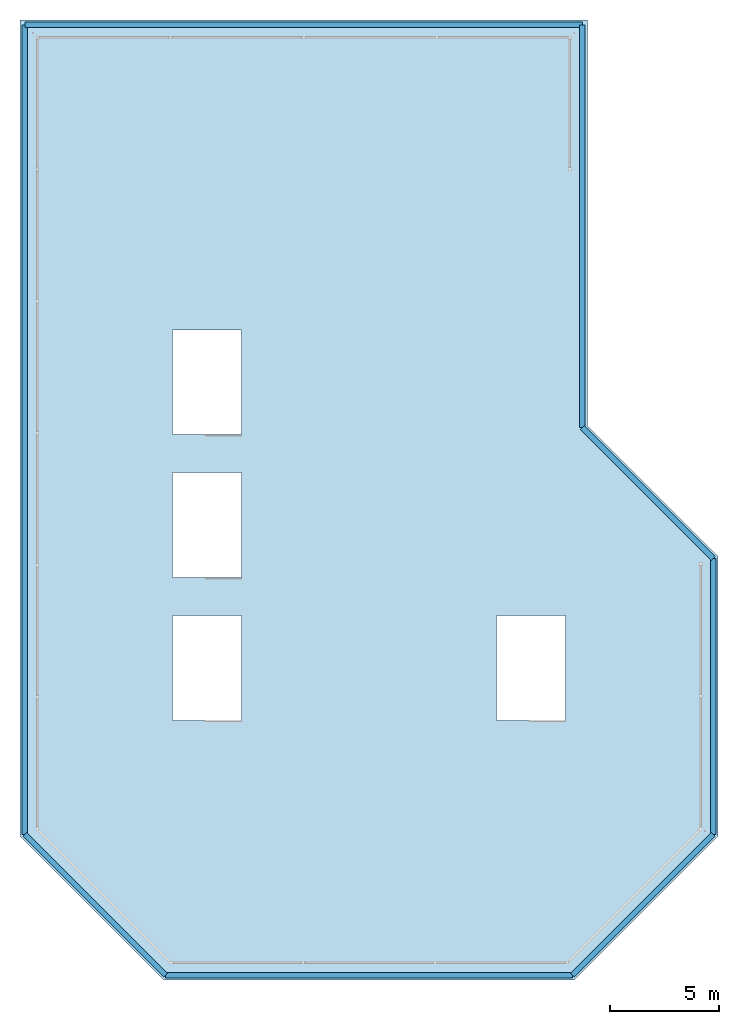
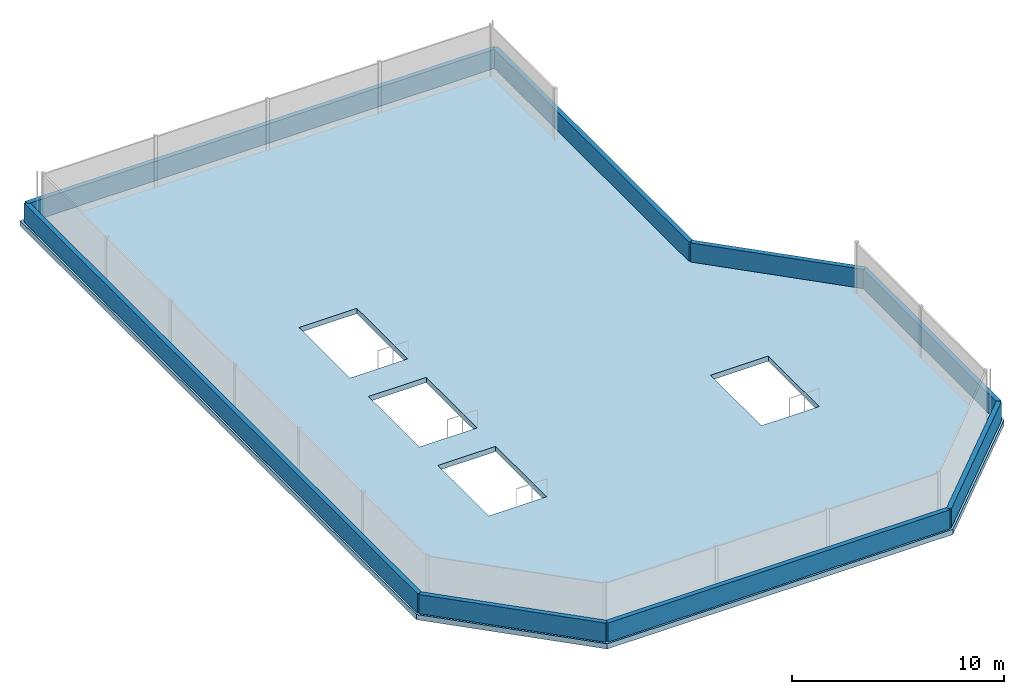
# One storey, part 4 of 5: 8 walls, 1 slab.
"""IFC4 building model written with IfcOpenShell, lengths in metres."""

from ifc_helpers import new_model, si_unit, direction, frame, frame_2d, origin, place, context, subcontext, project, spatial, polyline, rectangle, outline, extrude, material, layer, layer_set, type_object, element, save


model = new_model("IFC4")

# Units and contexts
model_context = context("Model", 3, precision=1e-05, world=origin(), true_north=direction((0.0, 1.0)))
body_context = subcontext(model_context, "Body", "Model", "MODEL_VIEW")
ifc_project = project(units=[si_unit("LENGTHUNIT", "METRE"), si_unit("AREAUNIT", "SQUARE_METRE"), si_unit("VOLUMEUNIT", "CUBIC_METRE"), si_unit("PLANEANGLEUNIT", "RADIAN"), si_unit("MASSUNIT", "GRAM", prefix="KILO")], contexts=[model_context])

# Site, building, storey
site_placement = place(None, origin())
site = spatial("IfcSite", under=ifc_project, at=site_placement, CompositionType="ELEMENT")
building_placement = place(site_placement, origin())
building = spatial("IfcBuilding", under=site, at=building_placement, Name="Welwitschia Terrace Campus", CompositionType="ELEMENT")
storey_placement = place(building_placement, frame((0.0, 0.0, 344.0)))
storey = spatial("IfcBuildingStorey", under=building, at=storey_placement, Name="MAIN ROOF", CompositionType="ELEMENT", Elevation=344.0)

# Slab
ifc_material_1 = material(Name="Concrete C40/50", Category="concrete")
ifc_layer_1 = layer(ifc_material_1, 0.300048828125)
ifc_layer_set_1 = layer_set([ifc_layer_1], Name="Concrete C40/50")
slab_type = type_object("IfcSlabType", Name="Roof slab 300", PredefinedType="ROOF", material=ifc_layer_set_1)
slab_placement = place(storey_placement, frame((0.0, 0.0, -0.300048828125)))
element("IfcSlab", 1, at=slab_placement, inside=storey, type_object=slab_type, Name="Roof slab", PredefinedType="ROOF", context=body_context, shape_type="SweptSolid", body=[
    extrude(outline(polyline([(-1.0, 39.0), (25.0, 39.0), (25.0, 20.414306640625), (31.0, 14.414306640625), (31.0, 1.585693359375), (24.414306640625, -5.0), (5.585693359375, -5.0), (-1.0, 1.585693359375), (-1.0, 39.0)]), holes=[polyline([(6.0, 6.902099609375), (9.14990234375, 6.902099609375), (9.14990234375, 11.699951171875), (6.0, 11.699951171875), (6.0, 6.902099609375)]), polyline([(20.85009765625, 6.902099609375), (24.0, 6.902099609375), (24.0, 11.699951171875), (20.85009765625, 11.699951171875), (20.85009765625, 6.902099609375)]), polyline([(6.0, 13.451904296875), (9.14990234375, 13.451904296875), (9.14990234375, 18.25), (6.0, 18.25), (6.0, 13.451904296875)]), polyline([(6.0, 20.001953125), (9.14990234375, 20.001953125), (9.14990234375, 24.800048828125), (6.0, 24.800048828125), (6.0, 20.001953125)])]), origin(), (0.0, 0.0, 1.0), 0.300048828125),
])

# Walls
ifc_material_2 = material(Name="Concrete C40/50", Category="concrete")
ifc_layer_2 = layer(ifc_material_2, 0.25)
ifc_layer_set_2 = layer_set([ifc_layer_2], Name="Concrete C40/50")
wall_type = type_object("IfcWallType", Name="Parapet wall 250", PredefinedType="PARAPET", material=ifc_layer_set_2)
wall_1_placement = place(storey_placement, frame((-0.77490234375, 1.678955078125, 0.0), z_axis=(0.0, 0.0, 1.0), x_axis=(0.707106781187, -0.707106781187, 0.0)))
element("IfcWall", 2, at=wall_1_placement, inside=storey, type_object=wall_type, Name="Parapet", PredefinedType="PARAPET", context=body_context, shape_type="SweptSolid", body=[
    extrude(rectangle(XDim=9.127197265625, YDim=0.25, at=frame_2d((4.5634765625, 0.0))), origin(), (0.0, 0.0, 1.0), 1.10009765625),
])
wall_2_placement = place(storey_placement, frame((5.678955078125, -4.77490234375, 0.0), z_axis=(0.0, 0.0, 1.0), x_axis=(1.0, 0.0, 0.0)))
element("IfcWall", 3, at=wall_2_placement, inside=storey, type_object=wall_type, Name="Parapet", PredefinedType="PARAPET", context=body_context, shape_type="SweptSolid", body=[
    extrude(rectangle(XDim=18.64208984375, YDim=0.25, at=frame_2d((9.321044921875, 0.0))), origin(), (0.0, 0.0, 1.0), 1.10009765625),
])
wall_3_placement = place(storey_placement, frame((24.321044921875, -4.77490234375, 0.0), z_axis=(0.0, 0.0, 1.0), x_axis=(0.707106781187, 0.707106781187, 0.0)))
element("IfcWall", 4, at=wall_3_placement, inside=storey, type_object=wall_type, Name="Parapet", PredefinedType="PARAPET", context=body_context, shape_type="SweptSolid", body=[
    extrude(rectangle(XDim=9.127197265625, YDim=0.25, at=frame_2d((4.5634765625, 0.0))), origin(), (0.0, 0.0, 1.0), 1.10009765625),
])
wall_4_placement = place(storey_placement, frame((30.77490234375, 1.678955078125, 0.0), z_axis=(0.0, 0.0, 1.0), x_axis=(0.0, 1.0, 0.0)))
element("IfcWall", 5, at=wall_4_placement, inside=storey, type_object=wall_type, Name="Parapet", PredefinedType="PARAPET", context=body_context, shape_type="SweptSolid", body=[
    extrude(rectangle(XDim=12.64208984375, YDim=0.25, at=frame_2d((6.321044921875, 0.0))), origin(), (0.0, 0.0, 1.0), 1.10009765625),
])
wall_5_placement = place(storey_placement, frame((30.77490234375, 14.321044921875, 0.0), z_axis=(0.0, 0.0, 1.0), x_axis=(-0.707106781187, 0.707106781187, 0.0)))
element("IfcWall", 6, at=wall_5_placement, inside=storey, type_object=wall_type, Name="Parapet", PredefinedType="PARAPET", context=body_context, shape_type="SweptSolid", body=[
    extrude(rectangle(XDim=8.4853515625, YDim=0.25, at=frame_2d((4.24267578125, 0.0))), origin(), (0.0, 0.0, 1.0), 1.10009765625),
])
wall_6_placement = place(storey_placement, frame((24.77490234375, 20.321044921875, 0.0), z_axis=(0.0, 0.0, 1.0), x_axis=(0.0, 1.0, 0.0)))
element("IfcWall", 7, at=wall_6_placement, inside=storey, type_object=wall_type, Name="Parapet", PredefinedType="PARAPET", context=body_context, shape_type="SweptSolid", body=[
    extrude(rectangle(XDim=18.453857421875, YDim=0.25, at=frame_2d((9.22705078125, 0.0))), origin(), (0.0, 0.0, 1.0), 1.10009765625),
])
wall_7_placement = place(storey_placement, frame((24.77490234375, 38.77490234375, 0.0), z_axis=(0.0, 0.0, 1.0), x_axis=(-1.0, 0.0, 0.0)))
element("IfcWall", 8, at=wall_7_placement, inside=storey, type_object=wall_type, Name="Parapet", PredefinedType="PARAPET", context=body_context, shape_type="SweptSolid", body=[
    extrude(rectangle(XDim=25.5498046875, YDim=0.25, at=frame_2d((12.77490234375, 0.0))), origin(), (0.0, 0.0, 1.0), 1.10009765625),
])
wall_8_placement = place(storey_placement, frame((-0.77490234375, 38.77490234375, 0.0), z_axis=(0.0, 0.0, 1.0), x_axis=(0.0, -1.0, 0.0)))
element("IfcWall", 9, at=wall_8_placement, inside=storey, type_object=wall_type, Name="Parapet", PredefinedType="PARAPET", context=body_context, shape_type="SweptSolid", body=[
    extrude(rectangle(XDim=37.095947265625, YDim=0.25, at=frame_2d((18.5478515625, 0.0))), origin(), (0.0, 0.0, 1.0), 1.10009765625),
])

save(model, "model.ifc")
